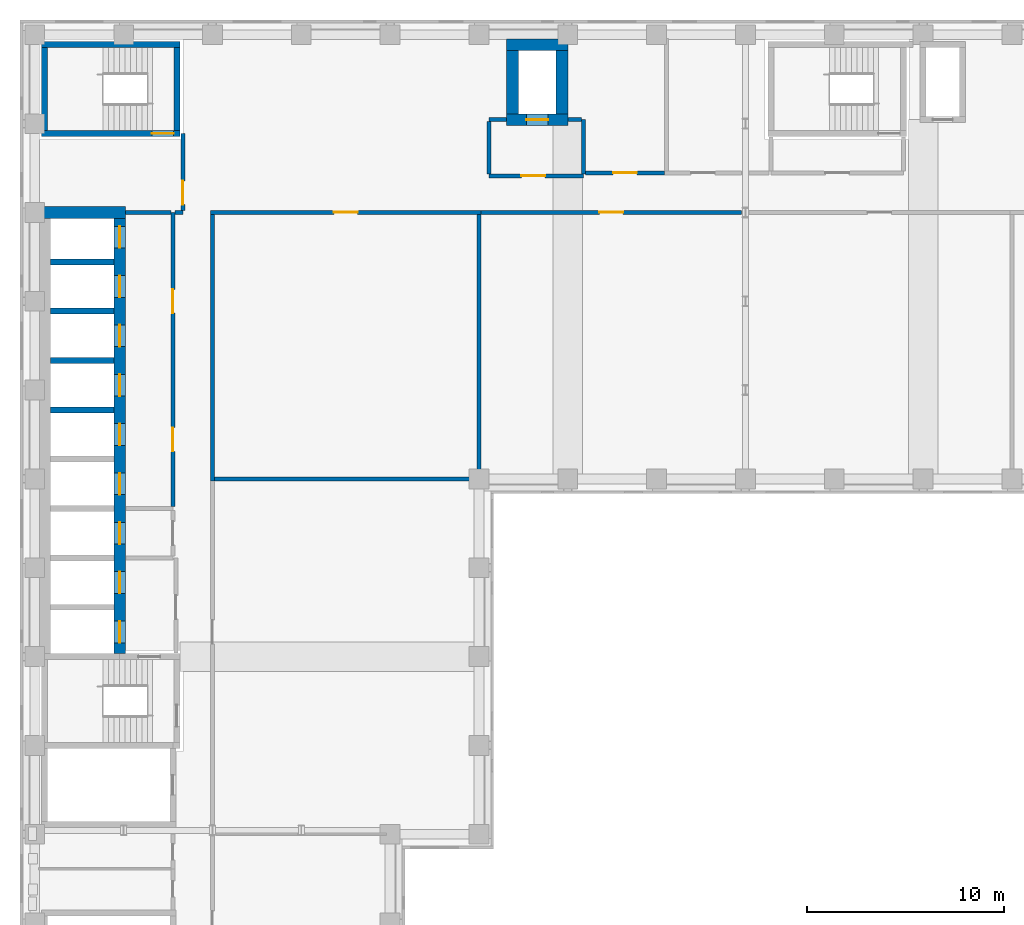
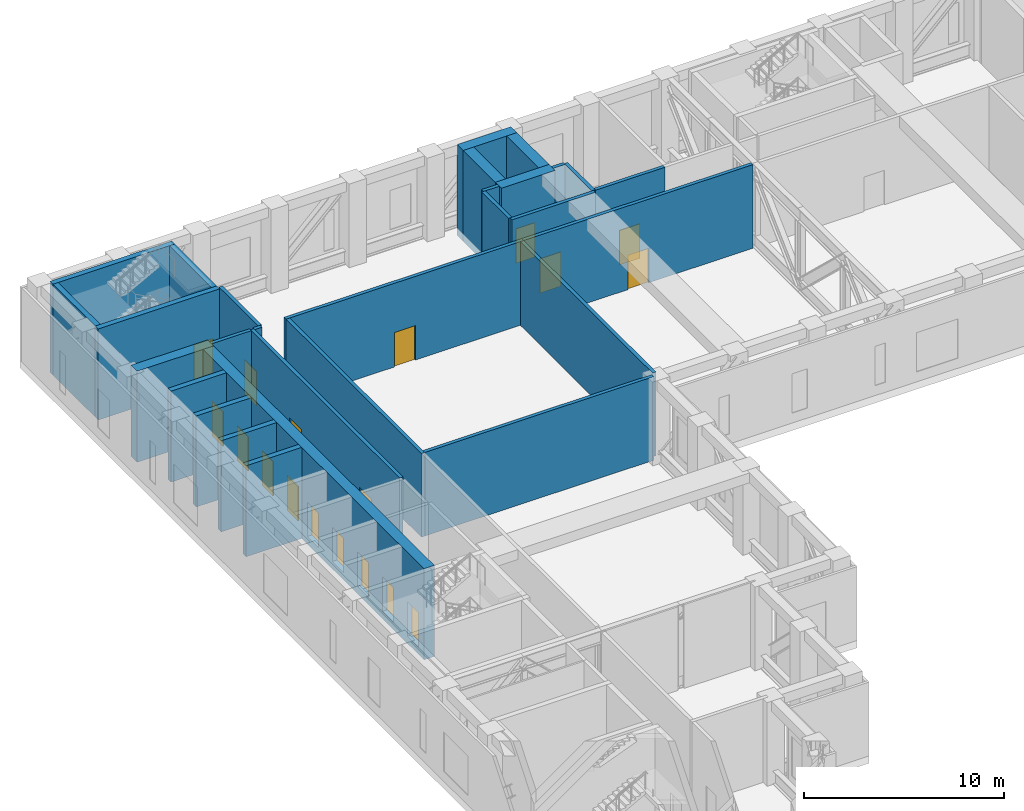
# One storey, part 7 of 14: 29 walls, 18 doors, 18 openings.
"""IFC4 building model written with IfcOpenShell, lengths in metres."""

from ifc_helpers import new_model, si_unit, direction, frame, frame_2d, origin, place, context, subcontext, project, spatial, rectangle, extrude, material, layer, layer_set, type_object, element, fill, save


model = new_model("IFC4")

# Units and contexts
model_context = context("Model", 3, precision=1e-05, world=origin(), true_north=direction((0.0, 1.0)))
body_context = subcontext(model_context, "Body", "Model", "MODEL_VIEW")
ifc_project = project(units=[si_unit("LENGTHUNIT", "METRE"), si_unit("AREAUNIT", "SQUARE_METRE"), si_unit("VOLUMEUNIT", "CUBIC_METRE"), si_unit("PLANEANGLEUNIT", "RADIAN"), si_unit("MASSUNIT", "GRAM", prefix="KILO")], contexts=[model_context])

# Site, building, storey
site_placement = place(None, origin())
site = spatial("IfcSite", under=ifc_project, at=site_placement, CompositionType="ELEMENT")
building_placement = place(site_placement, origin())
building = spatial("IfcBuilding", under=site, at=building_placement, Name="Firuza Court", CompositionType="ELEMENT")
storey_placement = place(building_placement, frame((0.0, 0.0, 173.60009765625)))
storey = spatial("IfcBuildingStorey", under=building, at=storey_placement, Name="L44", CompositionType="ELEMENT", Elevation=173.60009765625)

# Wall, opening, door
ifc_material_1 = material(Name="Concrete C60/75", Category="concrete")
ifc_layer_1 = layer(ifc_material_1, 0.300048828125)
ifc_layer_set_1 = layer_set([ifc_layer_1], Name="Concrete C60/75")
wall_type_1 = type_object("IfcWallType", Name="Core wall 300 C60/75", PredefinedType="SHEAR", material=ifc_layer_set_1)
wall_1_placement = place(storey_placement, frame((0.35009765625, 53.5, -0.4501953125), z_axis=(0.0, 0.0, 1.0), x_axis=(1.0, 0.0, 0.0)))
wall_1 = element("IfcWall", 1, at=wall_1_placement, inside=storey, type_object=wall_type_1, Name="Core wall stair L44", PredefinedType="SHEAR", context=body_context, shape_type="SweptSolid", body=[
    extrude(rectangle(XDim=7.0, YDim=0.300048828125, at=frame_2d((3.5, 0.0))), origin(), (0.0, 0.0, 1.0), 5.550048828125),
])
opening_1_placement = place(wall_1_placement, frame((5.580078125, 0.0, 0.449951171875)))
opening_1 = element("IfcOpeningElement", 2, at=opening_1_placement, cuts=wall_1, Name="Opening D44015", PredefinedType="OPENING", context=body_context, shape_type="SweptSolid", body=[
    extrude(rectangle(XDim=1.10009765625, YDim=2.10009765625, at=frame_2d((0.550048828125, 1.050048828125))), frame((0.0, 0.162109375, 0.0), z_axis=(0.0, -1.0, 0.0), x_axis=(1.0, 0.0, 0.0)), (0.0, 0.0, 1.0), 0.323974609375),
])
ifc_material_2 = material(Name="Timber door leaf in hardwood frame", Category="wood")
door_type_1 = type_object("IfcDoorType", Name="Stair door 1100", OperationType="SINGLE_SWING_LEFT", PredefinedType="DOOR", material=ifc_material_2)
door_1_placement = place(opening_1_placement, origin())
door_1 = element("IfcDoor", 3, at=door_1_placement, inside=storey, type_object=door_type_1, Name="Stair door S3", OperationType="SINGLE_SWING_RIGHT", OverallHeight=2.10009765625, OverallWidth=1.10009765625, PredefinedType="DOOR", context=body_context, shape_type="SweptSolid", body=[
    extrude(rectangle(XDim=1.10009765625, YDim=2.10009765625, at=frame_2d((0.550048828125, 1.050048828125))), frame((0.0, 0.02490234375, 0.0), z_axis=(0.0, -1.0, 0.0), x_axis=(1.0, 0.0, 0.0)), (0.0, 0.0, 1.0), 0.050048828125),
])
fill(opening_1, door_1)

# Walls
wall_2_placement = place(storey_placement, frame((0.35009765625, 58.0, -0.4501953125), z_axis=(0.0, 0.0, 1.0), x_axis=(1.0, 0.0, 0.0)))
element("IfcWall", 4, at=wall_2_placement, inside=storey, type_object=wall_type_1, Name="Core wall stair L44", PredefinedType="SHEAR", context=body_context, shape_type="SweptSolid", body=[
    extrude(rectangle(XDim=7.0, YDim=0.300048828125, at=frame_2d((3.5, 0.0))), origin(), (0.0, 0.0, 1.0), 5.550048828125),
])
wall_3_placement = place(storey_placement, frame((0.5, 53.64990234375, -0.4501953125), z_axis=(0.0, 0.0, 1.0), x_axis=(0.0, 1.0, 0.0)))
element("IfcWall", 5, at=wall_3_placement, inside=storey, type_object=wall_type_1, Name="Core wall stair L44", PredefinedType="SHEAR", context=body_context, shape_type="SweptSolid", body=[
    extrude(rectangle(XDim=4.2001953125, YDim=0.300048828125, at=frame_2d((2.10009765625, 0.0))), origin(), (0.0, 0.0, 1.0), 5.550048828125),
])
for number, where, z_axis, x_axis, name in (
    (6, (0.800048828125, 39.5, -0.4501953125), (0.0, 0.0, 1.0), (1.0, 0.0, 0.0), "Core wall lift shaft L44"),
    (7, (0.800048828125, 42.0, -0.4501953125), (0.0, 0.0, 1.0), (1.0, 0.0, 0.0), "Core wall lift shaft L44"),
    (8, (0.800048828125, 44.5, -0.4501953125), (0.0, 0.0, 1.0), (1.0, 0.0, 0.0), "Core wall lift shaft L44"),
    (9, (0.800048828125, 47.0, -0.4501953125), (0.0, 0.0, 1.0), (1.0, 0.0, 0.0), "Core wall lift shaft L44"),
):
    element("IfcWall", number, at=place(storey_placement, frame(where, z_axis=z_axis, x_axis=x_axis)), inside=storey, type_object=wall_type_1, Name=name, PredefinedType="SHEAR", context=body_context, shape_type="SweptSolid", body=[
        extrude(rectangle(XDim=3.199951171875, YDim=0.300048828125, at=frame_2d((1.60009765625, 0.0))), origin(), (0.0, 0.0, 1.0), 5.550048828125),
    ])
wall_4_placement = place(storey_placement, frame((7.199951171875, 53.64990234375, -0.4501953125), z_axis=(0.0, 0.0, 1.0), x_axis=(0.0, 1.0, 0.0)))
element("IfcWall", 10, at=wall_4_placement, inside=storey, type_object=wall_type_1, Name="Core wall stair L44", PredefinedType="SHEAR", context=body_context, shape_type="SweptSolid", body=[
    extrude(rectangle(XDim=4.2001953125, YDim=0.300048828125, at=frame_2d((2.10009765625, 0.0))), origin(), (0.0, 0.0, 1.0), 5.550048828125),
])
ifc_layer_2 = layer(ifc_material_1, 0.60009765625)
ifc_layer_set_2 = layer_set([ifc_layer_2], Name="Concrete C60/75")
wall_type_2 = type_object("IfcWallType", Name="Core wall 600 C60/75", PredefinedType="SHEAR", material=ifc_layer_set_2)
wall_5_placement = place(storey_placement, frame((0.199951171875, 49.5, -0.4501953125), z_axis=(0.0, 0.0, 1.0), x_axis=(1.0, 0.0, 0.0)))
element("IfcWall", 11, at=wall_5_placement, inside=storey, type_object=wall_type_2, Name="Core wall lift shaft L44", PredefinedType="SHEAR", context=body_context, shape_type="SweptSolid", body=[
    extrude(rectangle(XDim=4.400146484375, YDim=0.60009765625, at=frame_2d((2.2001953125, 0.0))), origin(), (0.0, 0.0, 1.0), 5.550048828125),
])

# Wall, openings, doors
wall_6_placement = place(storey_placement, frame((4.300048828125, 27.14990234375, -0.4501953125), z_axis=(0.0, 0.0, 1.0), x_axis=(0.0, 1.0, 0.0)))
wall_6 = element("IfcWall", 12, at=wall_6_placement, inside=storey, type_object=wall_type_2, Name="Core wall lift shaft L44", PredefinedType="SHEAR", context=body_context, shape_type="SweptSolid", body=[
    extrude(rectangle(XDim=22.050048828125, YDim=0.60009765625, at=frame_2d((11.02490234375, 0.0))), origin(), (0.0, 0.0, 1.0), 5.550048828125),
])
opening_2_placement = place(wall_6_placement, frame((3.050048828125, 0.0, 0.449951171875)))
opening_2 = element("IfcOpeningElement", 13, at=opening_2_placement, cuts=wall_6, Name="Opening LD-FL1-44", PredefinedType="OPENING", context=body_context, shape_type="SweptSolid", body=[
    extrude(rectangle(XDim=1.10009765625, YDim=2.10009765625, at=frame_2d((0.550048828125, 1.050048828125))), frame((0.0, 0.31201171875, 0.0), z_axis=(0.0, -1.0, 0.0), x_axis=(1.0, 0.0, 0.0)), (0.0, 0.0, 1.0), 0.6240234375),
])
opening_3_placement = place(wall_6_placement, frame((0.550048828125, 0.0, 0.449951171875)))
opening_3 = element("IfcOpeningElement", 14, at=opening_3_placement, cuts=wall_6, Name="Opening LD-FL2-44", PredefinedType="OPENING", context=body_context, shape_type="SweptSolid", body=[
    extrude(rectangle(XDim=1.10009765625, YDim=2.10009765625, at=frame_2d((0.550048828125, 1.050048828125))), frame((0.0, 0.31201171875, 0.0), z_axis=(0.0, -1.0, 0.0), x_axis=(1.0, 0.0, 0.0)), (0.0, 0.0, 1.0), 0.6240234375),
])
opening_4_placement = place(wall_6_placement, frame((20.550048828125, 0.0, 0.449951171875)))
opening_4 = element("IfcOpeningElement", 15, at=opening_4_placement, cuts=wall_6, Name="Opening LD-HB1-44", PredefinedType="OPENING", context=body_context, shape_type="SweptSolid", body=[
    extrude(rectangle(XDim=1.10009765625, YDim=2.10009765625, at=frame_2d((0.550048828125, 1.050048828125))), frame((0.0, 0.31201171875, 0.0), z_axis=(0.0, -1.0, 0.0), x_axis=(1.0, 0.0, 0.0)), (0.0, 0.0, 1.0), 0.6240234375),
])
opening_5_placement = place(wall_6_placement, frame((18.050048828125, 0.0, 0.449951171875)))
opening_5 = element("IfcOpeningElement", 16, at=opening_5_placement, cuts=wall_6, Name="Opening LD-HB2-44", PredefinedType="OPENING", context=body_context, shape_type="SweptSolid", body=[
    extrude(rectangle(XDim=1.10009765625, YDim=2.10009765625, at=frame_2d((0.550048828125, 1.050048828125))), frame((0.0, 0.31201171875, 0.0), z_axis=(0.0, -1.0, 0.0), x_axis=(1.0, 0.0, 0.0)), (0.0, 0.0, 1.0), 0.6240234375),
])
opening_6_placement = place(wall_6_placement, frame((15.550048828125, 0.0, 0.449951171875)))
opening_6 = element("IfcOpeningElement", 17, at=opening_6_placement, cuts=wall_6, Name="Opening LD-HB3-44", PredefinedType="OPENING", context=body_context, shape_type="SweptSolid", body=[
    extrude(rectangle(XDim=1.10009765625, YDim=2.10009765625, at=frame_2d((0.550048828125, 1.050048828125))), frame((0.0, 0.31201171875, 0.0), z_axis=(0.0, -1.0, 0.0), x_axis=(1.0, 0.0, 0.0)), (0.0, 0.0, 1.0), 0.6240234375),
])
opening_7_placement = place(wall_6_placement, frame((13.050048828125, 0.0, 0.449951171875)))
opening_7 = element("IfcOpeningElement", 18, at=opening_7_placement, cuts=wall_6, Name="Opening LD-HB4-44", PredefinedType="OPENING", context=body_context, shape_type="SweptSolid", body=[
    extrude(rectangle(XDim=1.10009765625, YDim=2.10009765625, at=frame_2d((0.550048828125, 1.050048828125))), frame((0.0, 0.31201171875, 0.0), z_axis=(0.0, -1.0, 0.0), x_axis=(1.0, 0.0, 0.0)), (0.0, 0.0, 1.0), 0.6240234375),
])
opening_8_placement = place(wall_6_placement, frame((10.550048828125, 0.0, 0.449951171875)))
opening_8 = element("IfcOpeningElement", 19, at=opening_8_placement, cuts=wall_6, Name="Opening LD-HB5-44", PredefinedType="OPENING", context=body_context, shape_type="SweptSolid", body=[
    extrude(rectangle(XDim=1.10009765625, YDim=2.10009765625, at=frame_2d((0.550048828125, 1.050048828125))), frame((0.0, 0.31201171875, 0.0), z_axis=(0.0, -1.0, 0.0), x_axis=(1.0, 0.0, 0.0)), (0.0, 0.0, 1.0), 0.6240234375),
])
opening_9_placement = place(wall_6_placement, frame((8.050048828125, 0.0, 0.449951171875)))
opening_9 = element("IfcOpeningElement", 20, at=opening_9_placement, cuts=wall_6, Name="Opening LD-HB6-44", PredefinedType="OPENING", context=body_context, shape_type="SweptSolid", body=[
    extrude(rectangle(XDim=1.10009765625, YDim=2.10009765625, at=frame_2d((0.550048828125, 1.050048828125))), frame((0.0, 0.31201171875, 0.0), z_axis=(0.0, -1.0, 0.0), x_axis=(1.0, 0.0, 0.0)), (0.0, 0.0, 1.0), 0.6240234375),
])
opening_10_placement = place(wall_6_placement, frame((5.550048828125, 0.0, 0.449951171875)))
opening_10 = element("IfcOpeningElement", 21, at=opening_10_placement, cuts=wall_6, Name="Opening LD-SL1-44", PredefinedType="OPENING", context=body_context, shape_type="SweptSolid", body=[
    extrude(rectangle(XDim=1.10009765625, YDim=2.10009765625, at=frame_2d((0.550048828125, 1.050048828125))), frame((0.0, 0.31201171875, 0.0), z_axis=(0.0, -1.0, 0.0), x_axis=(1.0, 0.0, 0.0)), (0.0, 0.0, 1.0), 0.6240234375),
])
ifc_material_3 = material(Name="Stainless steel 1.4301 door leaf", Category="steel")
door_type_2 = type_object("IfcDoorType", Name="Lift landing door 1100", OperationType="SLIDING_TO_LEFT", PredefinedType="DOOR", material=ifc_material_3)
door_2_placement = place(opening_2_placement, origin())
door_2 = element("IfcDoor", 22, at=door_2_placement, inside=storey, type_object=door_type_2, Name="Landing door FL1", OperationType="SLIDING_TO_LEFT", OverallHeight=2.10009765625, OverallWidth=1.10009765625, PredefinedType="DOOR", context=body_context, shape_type="SweptSolid", body=[
    extrude(rectangle(XDim=1.10009765625, YDim=2.10009765625, at=frame_2d((0.550048828125, 1.050048828125))), frame((0.0, 0.02490234375, 0.0), z_axis=(0.0, -1.0, 0.0), x_axis=(1.0, 0.0, 0.0)), (0.0, 0.0, 1.0), 0.050048828125),
])
fill(opening_2, door_2)
door_3_placement = place(opening_3_placement, origin())
door_3 = element("IfcDoor", 23, at=door_3_placement, inside=storey, type_object=door_type_2, Name="Landing door FL2", OperationType="SLIDING_TO_LEFT", OverallHeight=2.10009765625, OverallWidth=1.10009765625, PredefinedType="DOOR", context=body_context, shape_type="SweptSolid", body=[
    extrude(rectangle(XDim=1.10009765625, YDim=2.10009765625, at=frame_2d((0.550048828125, 1.050048828125))), frame((0.0, 0.02490234375, 0.0), z_axis=(0.0, -1.0, 0.0), x_axis=(1.0, 0.0, 0.0)), (0.0, 0.0, 1.0), 0.050048828125),
])
fill(opening_3, door_3)
door_4_placement = place(opening_4_placement, origin())
door_4 = element("IfcDoor", 24, at=door_4_placement, inside=storey, type_object=door_type_2, Name="Landing door HB1", OperationType="SLIDING_TO_LEFT", OverallHeight=2.10009765625, OverallWidth=1.10009765625, PredefinedType="DOOR", context=body_context, shape_type="SweptSolid", body=[
    extrude(rectangle(XDim=1.10009765625, YDim=2.10009765625, at=frame_2d((0.550048828125, 1.050048828125))), frame((0.0, 0.02490234375, 0.0), z_axis=(0.0, -1.0, 0.0), x_axis=(1.0, 0.0, 0.0)), (0.0, 0.0, 1.0), 0.050048828125),
])
fill(opening_4, door_4)
door_5_placement = place(opening_5_placement, origin())
door_5 = element("IfcDoor", 25, at=door_5_placement, inside=storey, type_object=door_type_2, Name="Landing door HB2", OperationType="SLIDING_TO_LEFT", OverallHeight=2.10009765625, OverallWidth=1.10009765625, PredefinedType="DOOR", context=body_context, shape_type="SweptSolid", body=[
    extrude(rectangle(XDim=1.10009765625, YDim=2.10009765625, at=frame_2d((0.550048828125, 1.050048828125))), frame((0.0, 0.02490234375, 0.0), z_axis=(0.0, -1.0, 0.0), x_axis=(1.0, 0.0, 0.0)), (0.0, 0.0, 1.0), 0.050048828125),
])
fill(opening_5, door_5)
door_6_placement = place(opening_6_placement, origin())
door_6 = element("IfcDoor", 26, at=door_6_placement, inside=storey, type_object=door_type_2, Name="Landing door HB3", OperationType="SLIDING_TO_LEFT", OverallHeight=2.10009765625, OverallWidth=1.10009765625, PredefinedType="DOOR", context=body_context, shape_type="SweptSolid", body=[
    extrude(rectangle(XDim=1.10009765625, YDim=2.10009765625, at=frame_2d((0.550048828125, 1.050048828125))), frame((0.0, 0.02490234375, 0.0), z_axis=(0.0, -1.0, 0.0), x_axis=(1.0, 0.0, 0.0)), (0.0, 0.0, 1.0), 0.050048828125),
])
fill(opening_6, door_6)
door_7_placement = place(opening_7_placement, origin())
door_7 = element("IfcDoor", 27, at=door_7_placement, inside=storey, type_object=door_type_2, Name="Landing door HB4", OperationType="SLIDING_TO_LEFT", OverallHeight=2.10009765625, OverallWidth=1.10009765625, PredefinedType="DOOR", context=body_context, shape_type="SweptSolid", body=[
    extrude(rectangle(XDim=1.10009765625, YDim=2.10009765625, at=frame_2d((0.550048828125, 1.050048828125))), frame((0.0, 0.02490234375, 0.0), z_axis=(0.0, -1.0, 0.0), x_axis=(1.0, 0.0, 0.0)), (0.0, 0.0, 1.0), 0.050048828125),
])
fill(opening_7, door_7)
door_8_placement = place(opening_8_placement, origin())
door_8 = element("IfcDoor", 28, at=door_8_placement, inside=storey, type_object=door_type_2, Name="Landing door HB5", OperationType="SLIDING_TO_LEFT", OverallHeight=2.10009765625, OverallWidth=1.10009765625, PredefinedType="DOOR", context=body_context, shape_type="SweptSolid", body=[
    extrude(rectangle(XDim=1.10009765625, YDim=2.10009765625, at=frame_2d((0.550048828125, 1.050048828125))), frame((0.0, 0.02490234375, 0.0), z_axis=(0.0, -1.0, 0.0), x_axis=(1.0, 0.0, 0.0)), (0.0, 0.0, 1.0), 0.050048828125),
])
fill(opening_8, door_8)
door_9_placement = place(opening_9_placement, origin())
door_9 = element("IfcDoor", 29, at=door_9_placement, inside=storey, type_object=door_type_2, Name="Landing door HB6", OperationType="SLIDING_TO_LEFT", OverallHeight=2.10009765625, OverallWidth=1.10009765625, PredefinedType="DOOR", context=body_context, shape_type="SweptSolid", body=[
    extrude(rectangle(XDim=1.10009765625, YDim=2.10009765625, at=frame_2d((0.550048828125, 1.050048828125))), frame((0.0, 0.02490234375, 0.0), z_axis=(0.0, -1.0, 0.0), x_axis=(1.0, 0.0, 0.0)), (0.0, 0.0, 1.0), 0.050048828125),
])
fill(opening_9, door_9)
door_10_placement = place(opening_10_placement, origin())
door_10 = element("IfcDoor", 30, at=door_10_placement, inside=storey, type_object=door_type_2, Name="Landing door SL1", OperationType="SLIDING_TO_LEFT", OverallHeight=2.10009765625, OverallWidth=1.10009765625, PredefinedType="DOOR", context=body_context, shape_type="SweptSolid", body=[
    extrude(rectangle(XDim=1.10009765625, YDim=2.10009765625, at=frame_2d((0.550048828125, 1.050048828125))), frame((0.0, 0.02490234375, 0.0), z_axis=(0.0, -1.0, 0.0), x_axis=(1.0, 0.0, 0.0)), (0.0, 0.0, 1.0), 0.050048828125),
])
fill(opening_10, door_10)

# Wall, opening, door
wall_7_placement = place(storey_placement, frame((23.89990234375, 54.199951171875, -0.4501953125), z_axis=(0.0, 0.0, 1.0), x_axis=(1.0, 0.0, 0.0)))
wall_7 = element("IfcWall", 31, at=wall_7_placement, inside=storey, type_object=wall_type_2, Name="Core wall lift shaft L44", PredefinedType="SHEAR", context=body_context, shape_type="SweptSolid", body=[
    extrude(rectangle(XDim=3.10009765625, YDim=0.60009765625, at=frame_2d((1.550048828125, 0.0))), origin(), (0.0, 0.0, 1.0), 5.550048828125),
])
opening_11_placement = place(wall_7_placement, frame((1.0, 0.0, 0.449951171875)))
opening_11 = element("IfcOpeningElement", 32, at=opening_11_placement, cuts=wall_7, Name="Opening LD-FL3-44", PredefinedType="OPENING", context=body_context, shape_type="SweptSolid", body=[
    extrude(rectangle(XDim=1.10009765625, YDim=2.10009765625, at=frame_2d((0.550048828125, 1.050048828125))), frame((0.0, 0.31201171875, 0.0), z_axis=(0.0, -1.0, 0.0), x_axis=(1.0, 0.0, 0.0)), (0.0, 0.0, 1.0), 0.6240234375),
])
door_11_placement = place(opening_11_placement, origin())
door_11 = element("IfcDoor", 33, at=door_11_placement, inside=storey, type_object=door_type_2, Name="Landing door FL3", OperationType="SLIDING_TO_LEFT", OverallHeight=2.10009765625, OverallWidth=1.10009765625, PredefinedType="DOOR", context=body_context, shape_type="SweptSolid", body=[
    extrude(rectangle(XDim=1.10009765625, YDim=2.10009765625, at=frame_2d((0.550048828125, 1.050048828125))), frame((0.0, 0.02490234375, 0.0), z_axis=(0.0, -1.0, 0.0), x_axis=(1.0, 0.0, 0.0)), (0.0, 0.0, 1.0), 0.050048828125),
])
fill(opening_11, door_11)

# Walls
wall_8_placement = place(storey_placement, frame((23.89990234375, 58.0, -0.4501953125), z_axis=(0.0, 0.0, 1.0), x_axis=(1.0, 0.0, 0.0)))
element("IfcWall", 34, at=wall_8_placement, inside=storey, type_object=wall_type_2, Name="Core wall lift shaft L44", PredefinedType="SHEAR", context=body_context, shape_type="SweptSolid", body=[
    extrude(rectangle(XDim=3.10009765625, YDim=0.60009765625, at=frame_2d((1.550048828125, 0.0))), origin(), (0.0, 0.0, 1.0), 5.550048828125),
])
for number, where, z_axis, x_axis, name in (
    (35, (24.199951171875, 54.5, -0.4501953125), (0.0, 0.0, 1.0), (0.0, 1.0, 0.0), "Core wall lift shaft L44"),
    (36, (26.699951171875, 54.5, -0.4501953125), (0.0, 0.0, 1.0), (0.0, 1.0, 0.0), "Core wall lift shaft L44"),
):
    element("IfcWall", number, at=place(storey_placement, frame(where, z_axis=z_axis, x_axis=x_axis)), inside=storey, type_object=wall_type_2, Name=name, PredefinedType="SHEAR", context=body_context, shape_type="SweptSolid", body=[
        extrude(rectangle(XDim=3.199951171875, YDim=0.60009765625, at=frame_2d((1.60009765625, 0.0))), origin(), (0.0, 0.0, 1.0), 5.550048828125),
    ])
ifc_material_4 = material(Name="Blockwork, fire-rated", Category="masonry")
ifc_layer_3 = layer(ifc_material_4, 0.199951171875)
ifc_layer_set_3 = layer_set([ifc_layer_3], Name="Blockwork, fire-rated")
wall_type_3 = type_object("IfcWallType", Name="Plant room wall 200", PredefinedType="PARTITIONING", material=ifc_layer_set_3)
wall_9_placement = place(storey_placement, frame((9.10009765625, 36.0, 0.0), z_axis=(0.0, 0.0, 1.0), x_axis=(1.0, 0.0, 0.0)))
element("IfcWall", 37, at=wall_9_placement, inside=storey, type_object=wall_type_3, Name="Plant room wall 200 L44", PredefinedType="PARTITIONING", context=body_context, shape_type="SweptSolid", body=[
    extrude(rectangle(XDim=13.20849609375, YDim=0.199951171875, at=frame_2d((6.604248046875, 0.0))), origin(), (0.0, 0.0, 1.0), 5.099853515625),
])
wall_10_placement = place(storey_placement, frame((9.0, 35.89990234375, 0.0), z_axis=(0.0, 0.0, 1.0), x_axis=(0.0, 1.0, 0.0)))
element("IfcWall", 38, at=wall_10_placement, inside=storey, type_object=wall_type_3, Name="Plant room wall 200 L44", PredefinedType="PARTITIONING", context=body_context, shape_type="SweptSolid", body=[
    extrude(rectangle(XDim=13.5, YDim=0.199951171875, at=frame_2d((6.75, 0.0))), origin(), (0.0, 0.0, 1.0), 5.099853515625),
])
wall_11_placement = place(storey_placement, frame((22.5, 36.19140625, 0.0), z_axis=(0.0, 0.0, 1.0), x_axis=(0.0, 1.0, 0.0)))
element("IfcWall", 39, at=wall_11_placement, inside=storey, type_object=wall_type_3, Name="Plant room wall 200 L44", PredefinedType="PARTITIONING", context=body_context, shape_type="SweptSolid", body=[
    extrude(rectangle(XDim=13.20849609375, YDim=0.199951171875, at=frame_2d((6.604248046875, 0.0))), origin(), (0.0, 0.0, 1.0), 5.099853515625),
])

# Wall, opening, door
wall_12_placement = place(storey_placement, frame((8.89990234375, 49.5, 0.0), z_axis=(0.0, 0.0, 1.0), x_axis=(1.0, 0.0, 0.0)))
wall_12 = element("IfcWall", 40, at=wall_12_placement, inside=storey, type_object=wall_type_3, Name="Plant room wall 200 L44", PredefinedType="PARTITIONING", context=body_context, shape_type="SweptSolid", body=[
    extrude(rectangle(XDim=13.7001953125, YDim=0.199951171875, at=frame_2d((6.85009765625, 0.0))), origin(), (0.0, 0.0, 1.0), 5.099853515625),
])
opening_12_placement = place(wall_12_placement, frame((6.25, 0.0, 0.0)))
opening_12 = element("IfcOpeningElement", 41, at=opening_12_placement, cuts=wall_12, Name="Opening D44024", PredefinedType="OPENING", context=body_context, shape_type="SweptSolid", body=[
    extrude(rectangle(XDim=1.199951171875, YDim=2.10009765625, at=frame_2d((0.60009765625, 1.050048828125))), frame((0.0, 0.11181640625, 0.0), z_axis=(0.0, -1.0, 0.0), x_axis=(1.0, 0.0, 0.0)), (0.0, 0.0, 1.0), 0.223876953125),
])
ifc_material_5 = material(Name="Timber door leaf in hardwood frame", Category="wood")
door_type_3 = type_object("IfcDoorType", Name="Plant room door 1200", OperationType="SINGLE_SWING_LEFT", PredefinedType="DOOR", material=ifc_material_5)
door_12_placement = place(opening_12_placement, frame((1.199951171875, 0.0, 0.0), z_axis=(0.0, 0.0, 1.0), x_axis=(-1.0, 0.0, 0.0)))
door_12 = element("IfcDoor", 42, at=door_12_placement, inside=storey, type_object=door_type_3, Name="Plant door", OperationType="SINGLE_SWING_RIGHT", OverallHeight=2.10009765625, OverallWidth=1.199951171875, PredefinedType="DOOR", context=body_context, shape_type="SweptSolid", body=[
    extrude(rectangle(XDim=1.199951171875, YDim=2.10009765625, at=frame_2d((0.60009765625, 1.050048828125))), frame((0.0, 0.02490234375, 0.0), z_axis=(0.0, -1.0, 0.0), x_axis=(1.0, 0.0, 0.0)), (0.0, 0.0, 1.0), 0.050048828125),
])
fill(opening_12, door_12)

wall_13_placement = place(storey_placement, frame((22.60009765625, 49.5, 0.0), z_axis=(0.0, 0.0, 1.0), x_axis=(1.0, 0.0, 0.0)))
wall_13 = element("IfcWall", 43, at=wall_13_placement, inside=storey, type_object=wall_type_3, Name="Plant room wall 200 L44", PredefinedType="PARTITIONING", context=body_context, shape_type="SweptSolid", body=[
    extrude(rectangle(XDim=13.20751953125, YDim=0.199951171875, at=frame_2d((6.603759765625, 0.0))), origin(), (0.0, 0.0, 1.0), 5.099853515625),
])
opening_13_placement = place(wall_13_placement, frame((6.003662109375, 0.0, 0.0)))
opening_13 = element("IfcOpeningElement", 44, at=opening_13_placement, cuts=wall_13, Name="Opening D44025", PredefinedType="OPENING", context=body_context, shape_type="SweptSolid", body=[
    extrude(rectangle(XDim=1.199951171875, YDim=2.10009765625, at=frame_2d((0.60009765625, 1.050048828125))), frame((0.0, 0.11181640625, 0.0), z_axis=(0.0, -1.0, 0.0), x_axis=(1.0, 0.0, 0.0)), (0.0, 0.0, 1.0), 0.223876953125),
])
door_13_placement = place(opening_13_placement, frame((1.199951171875, 0.0, 0.0), z_axis=(0.0, 0.0, 1.0), x_axis=(-1.0, 0.0, 0.0)))
door_13 = element("IfcDoor", 45, at=door_13_placement, inside=storey, type_object=door_type_3, Name="Plant door", OperationType="SINGLE_SWING_RIGHT", OverallHeight=2.10009765625, OverallWidth=1.199951171875, PredefinedType="DOOR", context=body_context, shape_type="SweptSolid", body=[
    extrude(rectangle(XDim=1.199951171875, YDim=2.10009765625, at=frame_2d((0.60009765625, 1.050048828125))), frame((0.0, 0.02490234375, 0.0), z_axis=(0.0, -1.0, 0.0), x_axis=(1.0, 0.0, 0.0)), (0.0, 0.0, 1.0), 0.050048828125),
])
fill(opening_13, door_13)

wall_14_placement = place(storey_placement, frame((31.89990234375, 51.5, 0.0), z_axis=(0.0, 0.0, 1.0), x_axis=(-1.0, 0.0, 0.0)))
wall_14 = element("IfcWall", 46, at=wall_14_placement, inside=storey, type_object=wall_type_3, Name="Plant room wall 200 L44", PredefinedType="PARTITIONING", context=body_context, shape_type="SweptSolid", body=[
    extrude(rectangle(XDim=4.0, YDim=0.199951171875, at=frame_2d((2.0, 0.0))), origin(), (0.0, 0.0, 1.0), 5.099853515625),
])
opening_14_placement = place(wall_14_placement, frame((1.39990234375, 0.0, 0.0)))
opening_14 = element("IfcOpeningElement", 47, at=opening_14_placement, cuts=wall_14, Name="Opening D44029", PredefinedType="OPENING", context=body_context, shape_type="SweptSolid", body=[
    extrude(rectangle(XDim=1.199951171875, YDim=2.10009765625, at=frame_2d((0.60009765625, 1.050048828125))), frame((0.0, 0.11181640625, 0.0), z_axis=(0.0, -1.0, 0.0), x_axis=(1.0, 0.0, 0.0)), (0.0, 0.0, 1.0), 0.223876953125),
])
door_14_placement = place(opening_14_placement, frame((1.199951171875, 0.0, 0.0), z_axis=(0.0, 0.0, 1.0), x_axis=(-1.0, 0.0, 0.0)))
door_14 = element("IfcDoor", 48, at=door_14_placement, inside=storey, type_object=door_type_3, Name="Plant door", OperationType="SINGLE_SWING_RIGHT", OverallHeight=2.10009765625, OverallWidth=1.199951171875, PredefinedType="DOOR", context=body_context, shape_type="SweptSolid", body=[
    extrude(rectangle(XDim=1.199951171875, YDim=2.10009765625, at=frame_2d((0.60009765625, 1.050048828125))), frame((0.0, 0.02490234375, 0.0), z_axis=(0.0, -1.0, 0.0), x_axis=(1.0, 0.0, 0.0)), (0.0, 0.0, 1.0), 0.050048828125),
])
fill(opening_14, door_14)

# Wall, openings, doors
ifc_layer_4 = layer(ifc_material_4, 0.199951171875)
ifc_layer_set_4 = layer_set([ifc_layer_4], Name="Blockwork, fire-rated")
wall_type_4 = type_object("IfcWallType", Name="Shaft wall 200", PredefinedType="PARTITIONING", material=ifc_layer_set_4)
wall_15_placement = place(storey_placement, frame((7.0, 34.60009765625, 0.0), z_axis=(0.0, 0.0, 1.0), x_axis=(0.0, 1.0, 0.0)))
wall_15 = element("IfcWall", 49, at=wall_15_placement, inside=storey, type_object=wall_type_4, Name="Shaft wall 200 L44", PredefinedType="PARTITIONING", context=body_context, shape_type="SweptSolid", body=[
    extrude(rectangle(XDim=14.89990234375, YDim=0.199951171875, at=frame_2d((7.449951171875, 0.0))), origin(), (0.0, 0.0, 1.0), 5.099853515625),
])
opening_15_placement = place(wall_15_placement, frame((2.800048828125, 0.0, 0.0)))
opening_15 = element("IfcOpeningElement", 50, at=opening_15_placement, cuts=wall_15, Name="Opening D44004", PredefinedType="OPENING", context=body_context, shape_type="SweptSolid", body=[
    extrude(rectangle(XDim=1.199951171875, YDim=2.10009765625, at=frame_2d((0.60009765625, 1.050048828125))), frame((0.0, 0.11181640625, 0.0), z_axis=(0.0, -1.0, 0.0), x_axis=(1.0, 0.0, 0.0)), (0.0, 0.0, 1.0), 0.223876953125),
])
opening_16_placement = place(wall_15_placement, frame((9.800048828125, 0.0, 0.0)))
opening_16 = element("IfcOpeningElement", 51, at=opening_16_placement, cuts=wall_15, Name="Opening D44005", PredefinedType="OPENING", context=body_context, shape_type="SweptSolid", body=[
    extrude(rectangle(XDim=1.199951171875, YDim=2.10009765625, at=frame_2d((0.60009765625, 1.050048828125))), frame((0.0, 0.11181640625, 0.0), z_axis=(0.0, -1.0, 0.0), x_axis=(1.0, 0.0, 0.0)), (0.0, 0.0, 1.0), 0.223876953125),
])
ifc_material_6 = material(Name="Timber door leaf in hardwood frame", Category="wood")
door_type_4 = type_object("IfcDoorType", Name="Lobby door 1200", OperationType="SINGLE_SWING_LEFT", PredefinedType="DOOR", material=ifc_material_6)
door_15_placement = place(opening_15_placement, origin())
door_15 = element("IfcDoor", 52, at=door_15_placement, inside=storey, type_object=door_type_4, Name="Lobby door", OperationType="SINGLE_SWING_LEFT", OverallHeight=2.10009765625, OverallWidth=1.199951171875, PredefinedType="DOOR", context=body_context, shape_type="SweptSolid", body=[
    extrude(rectangle(XDim=1.199951171875, YDim=2.10009765625, at=frame_2d((0.60009765625, 1.050048828125))), frame((0.0, 0.02490234375, 0.0), z_axis=(0.0, -1.0, 0.0), x_axis=(1.0, 0.0, 0.0)), (0.0, 0.0, 1.0), 0.050048828125),
])
fill(opening_15, door_15)
door_16_placement = place(opening_16_placement, origin())
door_16 = element("IfcDoor", 53, at=door_16_placement, inside=storey, type_object=door_type_4, Name="Lobby door", OperationType="SINGLE_SWING_RIGHT", OverallHeight=2.10009765625, OverallWidth=1.199951171875, PredefinedType="DOOR", context=body_context, shape_type="SweptSolid", body=[
    extrude(rectangle(XDim=1.199951171875, YDim=2.10009765625, at=frame_2d((0.60009765625, 1.050048828125))), frame((0.0, 0.02490234375, 0.0), z_axis=(0.0, -1.0, 0.0), x_axis=(1.0, 0.0, 0.0)), (0.0, 0.0, 1.0), 0.050048828125),
])
fill(opening_16, door_16)

# Wall
wall_16_placement = place(storey_placement, frame((4.60009765625, 49.5, 0.0), z_axis=(0.0, 0.0, 1.0), x_axis=(1.0, 0.0, 0.0)))
element("IfcWall", 54, at=wall_16_placement, inside=storey, type_object=wall_type_4, Name="Shaft wall 200 L44", PredefinedType="PARTITIONING", context=body_context, shape_type="SweptSolid", body=[
    extrude(rectangle(XDim=2.2998046875, YDim=0.199951171875, at=frame_2d((1.14990234375, 0.0))), origin(), (0.0, 0.0, 1.0), 5.099853515625),
])

# Wall, opening, door
wall_17_placement = place(storey_placement, frame((23.0, 51.35009765625, 0.0), z_axis=(0.0, 0.0, 1.0), x_axis=(1.0, 0.0, 0.0)))
wall_17 = element("IfcWall", 55, at=wall_17_placement, inside=storey, type_object=wall_type_4, Name="Shaft wall 200 L44", PredefinedType="PARTITIONING", context=body_context, shape_type="SweptSolid", body=[
    extrude(rectangle(XDim=4.800048828125, YDim=0.199951171875, at=frame_2d((2.39990234375, 0.0))), origin(), (0.0, 0.0, 1.0), 5.099853515625),
])
opening_17_placement = place(wall_17_placement, frame((1.64990234375, 0.0, 0.0)))
opening_17 = element("IfcOpeningElement", 56, at=opening_17_placement, cuts=wall_17, Name="Opening D44003", PredefinedType="OPENING", context=body_context, shape_type="SweptSolid", body=[
    extrude(rectangle(XDim=1.199951171875, YDim=2.10009765625, at=frame_2d((0.60009765625, 1.050048828125))), frame((0.0, 0.11181640625, 0.0), z_axis=(0.0, -1.0, 0.0), x_axis=(1.0, 0.0, 0.0)), (0.0, 0.0, 1.0), 0.223876953125),
])
door_17_placement = place(opening_17_placement, origin())
door_17 = element("IfcDoor", 57, at=door_17_placement, inside=storey, type_object=door_type_4, Name="Fire-fighting lobby door", OperationType="SINGLE_SWING_LEFT", OverallHeight=2.10009765625, OverallWidth=1.199951171875, PredefinedType="DOOR", context=body_context, shape_type="SweptSolid", body=[
    extrude(rectangle(XDim=1.199951171875, YDim=2.10009765625, at=frame_2d((0.60009765625, 1.050048828125))), frame((0.0, 0.02490234375, 0.0), z_axis=(0.0, -1.0, 0.0), x_axis=(1.0, 0.0, 0.0)), (0.0, 0.0, 1.0), 0.050048828125),
])
fill(opening_17, door_17)

# Walls
wall_18_placement = place(storey_placement, frame((27.800048828125, 51.449951171875, 0.0), z_axis=(0.0, 0.0, 1.0), x_axis=(0.0, 1.0, 0.0)))
element("IfcWall", 58, at=wall_18_placement, inside=storey, type_object=wall_type_4, Name="Shaft wall 200 L44", PredefinedType="PARTITIONING", context=body_context, shape_type="SweptSolid", body=[
    extrude(rectangle(XDim=2.75, YDim=0.199951171875, at=frame_2d((1.375, 0.0))), origin(), (0.0, 0.0, 1.0), 5.099853515625),
])
wall_19_placement = place(storey_placement, frame((23.0, 54.199951171875, 0.0), z_axis=(0.0, 0.0, 1.0), x_axis=(1.0, 0.0, 0.0)))
element("IfcWall", 59, at=wall_19_placement, inside=storey, type_object=wall_type_4, Name="Shaft wall 200 L44", PredefinedType="PARTITIONING", context=body_context, shape_type="SweptSolid", body=[
    extrude(rectangle(XDim=0.89990234375, YDim=0.199951171875, at=frame_2d((0.449951171875, 0.0))), origin(), (0.0, 0.0, 1.0), 5.099853515625),
])
wall_20_placement = place(storey_placement, frame((27.0, 54.199951171875, 0.0), z_axis=(0.0, 0.0, 1.0), x_axis=(1.0, 0.0, 0.0)))
element("IfcWall", 60, at=wall_20_placement, inside=storey, type_object=wall_type_4, Name="Shaft wall 200 L44", PredefinedType="PARTITIONING", context=body_context, shape_type="SweptSolid", body=[
    extrude(rectangle(XDim=0.699951171875, YDim=0.199951171875, at=frame_2d((0.35009765625, 0.0))), origin(), (0.0, 0.0, 1.0), 5.099853515625),
])
wall_21_placement = place(storey_placement, frame((23.0, 51.449951171875, 0.0), z_axis=(0.0, 0.0, 1.0), x_axis=(0.0, 1.0, 0.0)))
element("IfcWall", 61, at=wall_21_placement, inside=storey, type_object=wall_type_4, Name="Shaft wall 200 L44", PredefinedType="PARTITIONING", context=body_context, shape_type="SweptSolid", body=[
    extrude(rectangle(XDim=2.650146484375, YDim=0.199951171875, at=frame_2d((1.3251953125, 0.0))), origin(), (0.0, 0.0, 1.0), 5.099853515625),
])
wall_22_placement = place(storey_placement, frame((7.10009765625, 49.5, 0.0), z_axis=(0.0, 0.0, 1.0), x_axis=(1.0, 0.0, 0.0)))
element("IfcWall", 62, at=wall_22_placement, inside=storey, type_object=wall_type_4, Name="Shaft wall 200 L44", PredefinedType="PARTITIONING", context=body_context, shape_type="SweptSolid", body=[
    extrude(rectangle(XDim=0.39990234375, YDim=0.199951171875, at=frame_2d((0.199951171875, 0.0))), origin(), (0.0, 0.0, 1.0), 5.099853515625),
])

# Wall, opening, door
wall_23_placement = place(storey_placement, frame((7.5, 49.60009765625, 0.0), z_axis=(0.0, 0.0, 1.0), x_axis=(0.0, 1.0, 0.0)))
wall_23 = element("IfcWall", 63, at=wall_23_placement, inside=storey, type_object=wall_type_4, Name="Shaft wall 200 L44", PredefinedType="PARTITIONING", context=body_context, shape_type="SweptSolid", body=[
    extrude(rectangle(XDim=3.89990234375, YDim=0.199951171875, at=frame_2d((1.949951171875, 0.0))), origin(), (0.0, 0.0, 1.0), 5.099853515625),
])
opening_18_placement = place(wall_23_placement, frame((0.300048828125, 0.0, 0.0)))
opening_18 = element("IfcOpeningElement", 64, at=opening_18_placement, cuts=wall_23, Name="Opening D44001", PredefinedType="OPENING", context=body_context, shape_type="SweptSolid", body=[
    extrude(rectangle(XDim=1.199951171875, YDim=2.10009765625, at=frame_2d((0.60009765625, 1.050048828125))), frame((0.0, 0.11181640625, 0.0), z_axis=(0.0, -1.0, 0.0), x_axis=(1.0, 0.0, 0.0)), (0.0, 0.0, 1.0), 0.223876953125),
])
door_18_placement = place(opening_18_placement, origin())
door_18 = element("IfcDoor", 65, at=door_18_placement, inside=storey, type_object=door_type_4, Name="Lobby door", OperationType="SINGLE_SWING_LEFT", OverallHeight=2.10009765625, OverallWidth=1.199951171875, PredefinedType="DOOR", context=body_context, shape_type="SweptSolid", body=[
    extrude(rectangle(XDim=1.199951171875, YDim=2.10009765625, at=frame_2d((0.60009765625, 1.050048828125))), frame((0.0, 0.02490234375, 0.0), z_axis=(0.0, -1.0, 0.0), x_axis=(1.0, 0.0, 0.0)), (0.0, 0.0, 1.0), 0.050048828125),
])
fill(opening_18, door_18)

save(model, "model.ifc")
